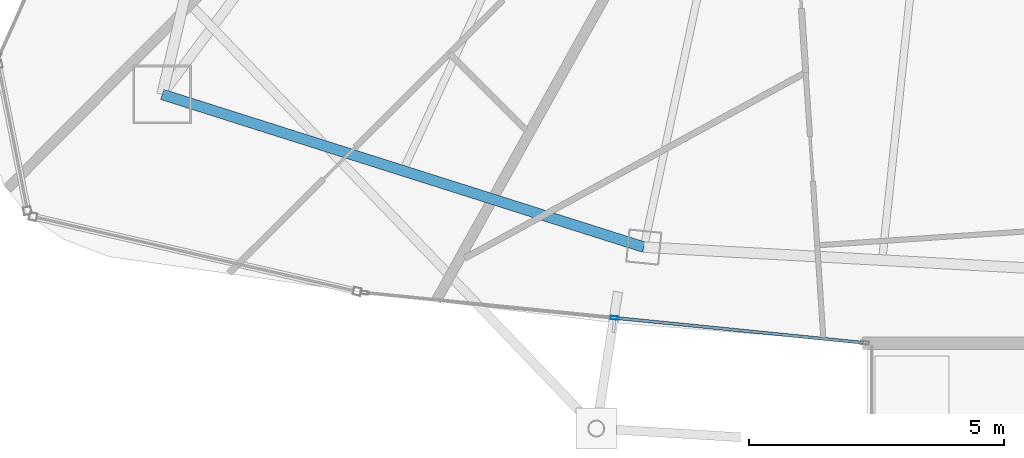
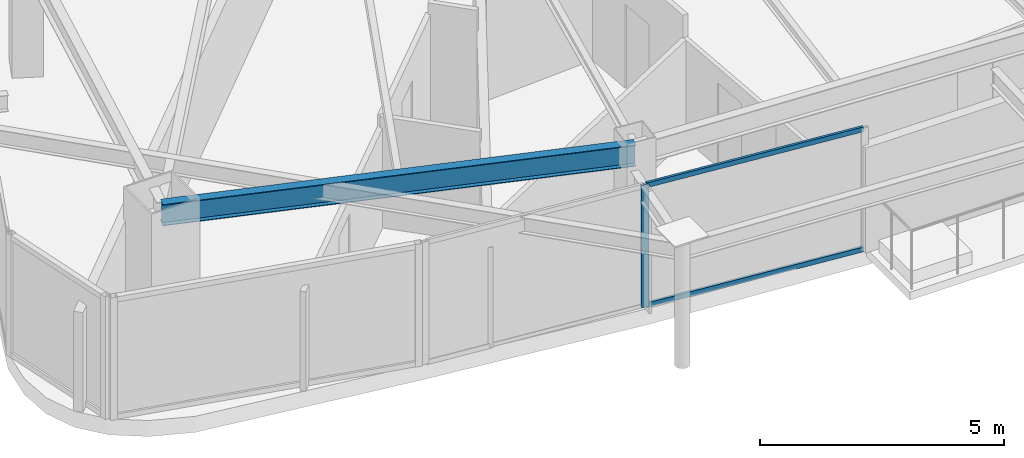
# One storey, part 4 of 29: 3 members, 1 beam, 1 element without a shape of its own.
"""IFC4 building model written with IfcOpenShell, lengths in metres."""

import ifcopenshell
import ifcopenshell.guid

model = None  # the IFC model being written
_history = None  # IfcOwnerHistory: only IFC2X3 demands one
_inside = {}  # id of a spatial element -> (the spatial element, [elements in it])
_under = {}  # id of a project, library or spatial element -> (it, [spatial elements below it])
_declared = {}  # id of a project -> (the project, [libraries it declares])
_typed = {}  # id of a type object -> (the type object, [elements of that type])
_made_of = {}  # id of a material, layer set ... -> (it, [elements and type objects made of it])


def new_model(schema):
    """Start an empty IFC model of exactly this schema.

    Asked for "IFC4X3", IfcOpenShell would pick the latest addendum, in which some entities
    have other attributes; the version numbers below select the first issue.
    IFC2X3 requires an IfcOwnerHistory on every rooted entity: one is made here for all.
    """
    global model, _history
    if schema == "IFC4X3":
        model = ifcopenshell.file(schema_version=(4, 3, 0, 0))
    else:
        model = ifcopenshell.file(schema=schema)
    _inside.clear()
    _under.clear()
    _declared.clear()
    _typed.clear()
    _made_of.clear()
    _history = None
    if model.schema == "IFC2X3":
        org = make("IfcOrganization", Name="unknown")
        user = make(
            "IfcPersonAndOrganization",
            ThePerson=make("IfcPerson", FamilyName="unknown"),
            TheOrganization=org,
        )
        app = make(
            "IfcApplication",
            ApplicationDeveloper=org,
            Version="unknown",
            ApplicationFullName="unknown",
            ApplicationIdentifier="unknown",
        )
        _history = make(
            "IfcOwnerHistory",
            OwningUser=user,
            OwningApplication=app,
            ChangeAction="ADDED",
            CreationDate=0,
        )
    return model


def make(cls, **values):
    """One entity of the class cls with the attributes given. An attribute that is None is left unset."""
    return model.create_entity(
        cls, **{name: value for name, value in values.items() if value is not None}
    )


def rooted(cls, **values):
    """An entity with a GlobalId (a new one), such as an element, a storey or a relation."""
    return make(cls, GlobalId=ifcopenshell.guid.new(), OwnerHistory=_history, **values)


def si_unit(unit_type, name, prefix=None):
    """IfcSIUnit, for example si_unit("LENGTHUNIT", "METRE", prefix="MILLI")."""
    return make("IfcSIUnit", UnitType=unit_type, Prefix=prefix, Name=name)


def assignment(units):
    """IfcUnitAssignment: the units of a project."""
    return None if units is None else make("IfcUnitAssignment", Units=units)


def point(xyz):
    """IfcCartesianPoint."""
    return None if xyz is None else make("IfcCartesianPoint", Coordinates=xyz)


def direction(xyz):
    """IfcDirection."""
    return None if xyz is None else make("IfcDirection", DirectionRatios=xyz)


def frame(location, z_axis=None, x_axis=None):
    """IfcAxis2Placement3D, a coordinate frame: its origin and axes. An axis left out is left unset."""
    return make(
        "IfcAxis2Placement3D",
        Location=point(location),
        Axis=direction(z_axis),
        RefDirection=direction(x_axis),
    )


def frame_2d(location, x_axis=None):
    """IfcAxis2Placement2D, a coordinate frame in the plane: its origin and x axis."""
    return make(
        "IfcAxis2Placement2D", Location=point(location), RefDirection=direction(x_axis)
    )


def origin():
    """The frame at (0, 0, 0) with its axes left unset."""
    return frame((0.0, 0.0, 0.0))


def origin_2d():
    """The frame at (0, 0) in the plane with its x axis left unset."""
    return frame_2d((0.0, 0.0))


def place(relative_to, where):
    """IfcLocalPlacement: puts the frame where relative to a parent placement (None: the world)."""
    return make(
        "IfcLocalPlacement", PlacementRelTo=relative_to, RelativePlacement=where
    )


def context(
    kind, dimensions, precision=None, world=None, true_north=None, identifier=None
):
    """IfcGeometricRepresentationContext, for example the 3D "Model" context."""
    return make(
        "IfcGeometricRepresentationContext",
        ContextIdentifier=identifier,
        ContextType=kind,
        CoordinateSpaceDimension=dimensions,
        Precision=precision,
        WorldCoordinateSystem=world,
        TrueNorth=true_north,
    )


def subcontext(parent, identifier, kind, view, scale=None):
    """IfcGeometricRepresentationSubContext, for example "Body" below "Model"."""
    return make(
        "IfcGeometricRepresentationSubContext",
        ContextIdentifier=identifier,
        ContextType=kind,
        ParentContext=parent,
        TargetScale=scale,
        TargetView=view,
    )


def project(units=None, contexts=None):
    """IfcProject with its units and contexts."""
    return rooted(
        "IfcProject",
        Name="project",
        RepresentationContexts=contexts,
        UnitsInContext=assignment(units),
    )


def spatial(cls, under=None, at=None, **own):
    """A site, building, storey or space (cls), placed at a placement, below another one or the project."""
    s = rooted(cls, ObjectPlacement=at, **own)
    if under is not None:
        _under.setdefault(under.id(), (under, []))[1].append(s)
    return s


def profile(cls, at=None, kind="AREA", **sizes):
    """A parametric profile (cls). Its sizes go by their IFC names, for example OverallWidth=200.0."""
    return make(cls, ProfileType=kind, Position=at, **sizes)


def hollow_rectangle(**sizes):
    """IfcRectangleHollowProfileDef."""
    return profile("IfcRectangleHollowProfileDef", **sizes)


def i_section(**sizes):
    """IfcIShapeProfileDef."""
    return profile("IfcIShapeProfileDef", **sizes)


def extrude(swept, where, along, depth):
    """IfcExtrudedAreaSolid: the profile swept, set in the frame where, extruded along a direction by depth."""
    return make(
        "IfcExtrudedAreaSolid",
        SweptArea=swept,
        Position=where,
        ExtrudedDirection=direction(along),
        Depth=depth,
    )


def shape(context_of_items, identifier, shape_type, items):
    """IfcShapeRepresentation: the items that make up one representation, for example the "Body"."""
    return make(
        "IfcShapeRepresentation",
        ContextOfItems=context_of_items,
        RepresentationIdentifier=identifier,
        RepresentationType=shape_type,
        Items=items,
    )


def material(Name=None, Category=None):
    """IfcMaterial."""
    return make("IfcMaterial", Name=Name, Category=Category)


def layer(
    of_material, thickness, ventilated=None, Name=None, Category=None, Priority=None
):
    """IfcMaterialLayer: one layer of a wall or slab, of a material (None: an air gap)."""
    return make(
        "IfcMaterialLayer",
        Material=of_material,
        LayerThickness=thickness,
        IsVentilated=ventilated,
        Name=Name,
        Category=Category,
        Priority=Priority,
    )


def layer_set(layers, Name=None):
    """IfcMaterialLayerSet."""
    return make("IfcMaterialLayerSet", MaterialLayers=layers, LayerSetName=Name)


def material_profile(
    of_material, cross_section, Name=None, Category=None, Priority=None
):
    """IfcMaterialProfile: a cross section and its material."""
    return make(
        "IfcMaterialProfile",
        Name=Name,
        Material=of_material,
        Profile=cross_section,
        Priority=Priority,
        Category=Category,
    )


def profile_set(profiles, Name=None, composite=None):
    """IfcMaterialProfileSet."""
    return make(
        "IfcMaterialProfileSet",
        Name=Name,
        MaterialProfiles=profiles,
        CompositeProfile=composite,
    )


def made_of(thing, what):
    """Note that an element or type object is made of a material, layer set ...; save() writes the relation."""
    if what is not None:
        _made_of.setdefault(what.id(), (what, []))[1].append(thing)
    return thing


def type_object(cls, material=None, **own):
    """A type object (cls), such as IfcWallType, which elements share."""
    return made_of(rooted(cls, **own), material)


def element(
    cls,
    number,
    at=None,
    inside=None,
    cuts=None,
    type_object=None,
    material=None,
    context=None,
    identifier="Body",
    shape_type=None,
    held_by="IfcProductDefinitionShape",
    body=None,
    shapes=None,
    **own,
):
    """One element of the class cls, such as IfcWall. Its Tag is "e" and its number.

    at: its placement. inside: the storey or other place that contains it. cuts: it is an
    opening in that element (IfcRelVoidsElement). A single representation is given by context,
    identifier, shape_type and body (its items); several are given by shapes. held_by: the class
    of the entity that holds the representations. save() writes the other relations.
    """
    e = rooted(cls, Tag="e%d" % number, ObjectPlacement=at, **own)
    if body is not None:
        shapes = [shape(context, identifier, shape_type, body)]
    if shapes is not None:
        e.Representation = make(held_by, Representations=shapes)
    if inside is not None:
        _inside.setdefault(inside.id(), (inside, []))[1].append(e)
    if cuts is not None:
        rooted(
            "IfcRelVoidsElement", RelatingBuildingElement=cuts, RelatedOpeningElement=e
        )
    if type_object is not None:
        _typed.setdefault(type_object.id(), (type_object, []))[1].append(e)
    return made_of(e, material)


def aggregate(whole, parts):
    """IfcRelAggregates: a whole, such as a stair, and the parts it consists of."""
    return rooted("IfcRelAggregates", RelatingObject=whole, RelatedObjects=parts)


def save(model, path):
    """Write the relations noted so far, then the file.

    IfcRelAggregates (storeys below a building ...), IfcRelContainedInSpatialStructure (elements
    in a storey), IfcRelDefinesByType, IfcRelAssociatesMaterial and IfcRelDeclares: one each for
    every whole, place, type object, material and project.
    """
    for whole, parts in _under.values():
        aggregate(whole, parts)
    for where, things in _inside.values():
        rooted(
            "IfcRelContainedInSpatialStructure",
            RelatedElements=things,
            RelatingStructure=where,
        )
    for kind, things in _typed.values():
        rooted("IfcRelDefinesByType", RelatedObjects=things, RelatingType=kind)
    for what, things in _made_of.values():
        rooted("IfcRelAssociatesMaterial", RelatedObjects=things, RelatingMaterial=what)
    for by, libraries in _declared.values():
        rooted("IfcRelDeclares", RelatingContext=by, RelatedDefinitions=libraries)
    model.write(path)


model = new_model("IFC4")

# Units and contexts
model_context = context("Model", 3, precision=1e-05, world=origin(), true_north=direction((0.0, 1.0)))
body_context = subcontext(model_context, "Body", "Model", "MODEL_VIEW")
ifc_project = project(units=[si_unit("LENGTHUNIT", "METRE"), si_unit("AREAUNIT", "SQUARE_METRE"), si_unit("VOLUMEUNIT", "CUBIC_METRE"), si_unit("PLANEANGLEUNIT", "RADIAN"), si_unit("MASSUNIT", "GRAM", prefix="KILO")], contexts=[model_context])

# Site, building, storey
site_placement = place(None, origin())
site = spatial("IfcSite", under=ifc_project, at=site_placement, CompositionType="ELEMENT")
building_placement = place(site_placement, origin())
building = spatial("IfcBuilding", under=site, at=building_placement, Name="Orvanel Arch Residences", CompositionType="ELEMENT")
storey_placement = place(building_placement, frame((0.0, 0.0, 256.85009765625)))
storey = spatial("IfcBuildingStorey", under=building, at=storey_placement, Name="L73", CompositionType="ELEMENT", Elevation=256.85009765625)

# Curtain wall, member
ifc_material_1 = material(Name="Bronze-anodised aluminium AA6063-T6", Category="aluminium")
ifc_layer = layer(ifc_material_1, 0.175048828125)
ifc_layer_set = layer_set([ifc_layer], Name="Bronze-anodised aluminium AA6063-T6")
curtain_wall_type = type_object("IfcCurtainWallType", Name="CW4-HI-SYS", PredefinedType="NOTDEFINED", material=ifc_layer_set)
curtain_wall_placement = place(storey_placement, origin())
curtain_wall = element("IfcCurtainWall", 1, at=curtain_wall_placement, inside=storey, type_object=curtain_wall_type, Name="L73 CW4-HI-SYS Unitised Curtain Wall", PredefinedType="NOTDEFINED")
ifc_material_profile_1 = material_profile(ifc_material_1, hollow_rectangle(XDim=0.06494140625, YDim=0.159912109375, WallThickness=0.00390625, at=origin_2d()), Name="ALU160x65x4")
ifc_profile_set_1 = profile_set([ifc_material_profile_1], Name="Bronze-anodised aluminium AA6063-T6")
member_type_1 = type_object("IfcMemberType", Name="MUL-160x65", PredefinedType="MULLION", material=ifc_profile_set_1)
member_1_placement = place(storey_placement, frame((23.077880859375, 5.966552734375, 0.0), z_axis=(0.0, 0.0, 1.0), x_axis=(0.099583474002, 0.995029211484, 0.0)))
member_1 = element("IfcMember", 2, at=member_1_placement, type_object=member_type_1, Name="CW-S4 mullion 2", PredefinedType="MULLION", context=body_context, shape_type="SweptSolid", body=[
    extrude(hollow_rectangle(XDim=0.06494140625, YDim=0.159912109375, WallThickness=0.00390625, at=origin_2d()), origin(), (0.0, 0.0, 1.0), 3.059814453125),
])

# Beam
ifc_material_2 = material(Name="Structural steel AS/NZS 3679.1 Grade 300 (300 MPa)", Category="steel")
ifc_material_profile_2 = material_profile(ifc_material_2, i_section(OverallWidth=0.208984375, OverallDepth=0.532958984375, WebThickness=0.01025390625, FlangeThickness=0.015625, at=origin_2d()), Name="530UB92.4")
ifc_profile_set_2 = profile_set([ifc_material_profile_2], Name="Structural steel AS/NZS 3679.1 Grade 300 (300 MPa)")
beam_type = type_object("IfcBeamType", Name="SP-530UB", PredefinedType="SPANDREL", material=ifc_profile_set_2)
beam_placement = place(storey_placement, frame((14.198974609375, 10.35107421875, 2.7939453125), z_axis=(0.953237386592, -0.302222574941, 0.0), x_axis=(0.302222574941, 0.953237386592, 0.0)))
element("IfcBeam", 3, at=beam_placement, inside=storey, type_object=beam_type, Name="L73 Perimeter Spandrel Beam 02", PredefinedType="SPANDREL", context=body_context, shape_type="SweptSolid", body=[
    extrude(i_section(OverallWidth=0.208984375, OverallDepth=0.532958984375, WebThickness=0.01025390625, FlangeThickness=0.015625, at=origin_2d()), origin(), (0.0, 0.0, 1.0), 9.91357421875),
])

# Member
ifc_material_profile_3 = material_profile(ifc_material_1, hollow_rectangle(XDim=0.06005859375, YDim=0.1201171875, WallThickness=0.00341796875, at=origin_2d()), Name="ALU120x60x3.5")
ifc_profile_set_3 = profile_set([ifc_material_profile_3], Name="Bronze-anodised aluminium AA6063-T6")
member_type_2 = type_object("IfcMemberType", Name="TRN-120x60", PredefinedType="USERDEFINED", material=ifc_profile_set_3)
member_2_placement = place(storey_placement, frame((23.1103515625, 5.96337890625, 0.02978515625), z_axis=(0.995027751564, -0.09959806031, 0.0), x_axis=(0.09959806031, 0.995027751564, 0.0)))
member_2 = element("IfcMember", 4, at=member_2_placement, type_object=member_type_2, Name="CW-S4 transom 2.1", ObjectType="TRANSOM", PredefinedType="USERDEFINED", context=body_context, shape_type="SweptSolid", body=[
    extrude(hollow_rectangle(XDim=0.06005859375, YDim=0.1201171875, WallThickness=0.00341796875, at=origin_2d()), origin(), (0.0, 0.0, 1.0), 4.8681640625),
])

member_3_placement = place(storey_placement, frame((23.1103515625, 5.96337890625, 3.02978515625), z_axis=(0.995027751564, -0.09959806031, 0.0), x_axis=(0.09959806031, 0.995027751564, 0.0)))
member_3 = element("IfcMember", 5, at=member_3_placement, type_object=member_type_2, Name="CW-S4 transom 2.2", ObjectType="TRANSOM", PredefinedType="USERDEFINED", context=body_context, shape_type="SweptSolid", body=[
    extrude(hollow_rectangle(XDim=0.06005859375, YDim=0.1201171875, WallThickness=0.00341796875, at=origin_2d()), origin(), (0.0, 0.0, 1.0), 4.8681640625),
])

aggregate(curtain_wall, [member_1, member_2, member_3])

save(model, "model.ifc")
